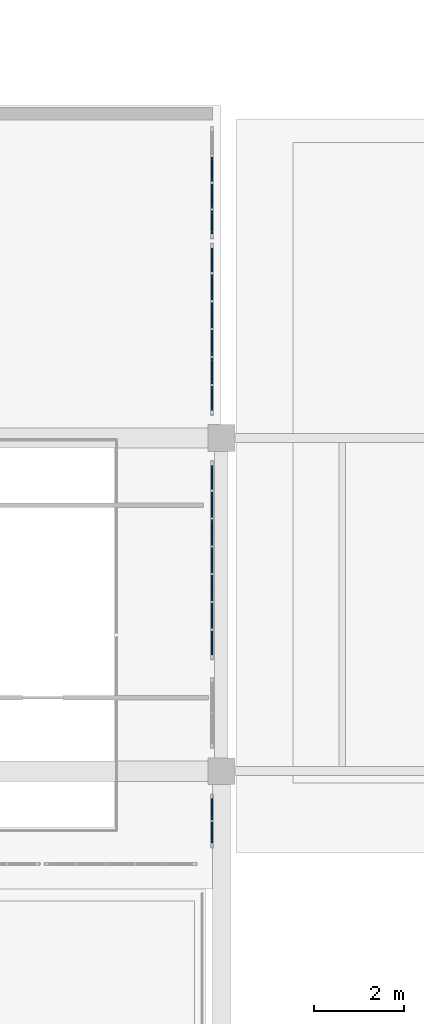
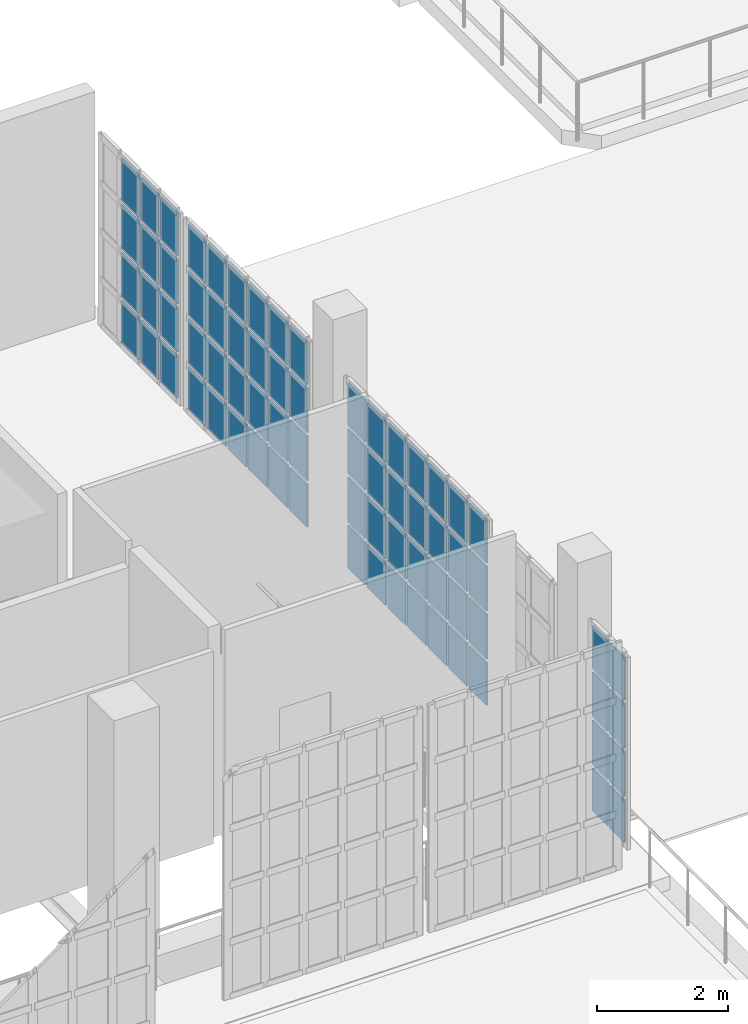
# One storey, part 43 of 56: 72 plates, 4 elements without a shape of their own.
"""IFC4 building model written with IfcOpenShell, lengths in metres."""

from ifc_helpers import new_model, si_unit, direction, frame, origin, origin_2d, place, context, subcontext, project, spatial, rectangle, extrude, material, layer, layer_set, type_object, element, aggregate, save


model = new_model("IFC4")

# Units and contexts
model_context = context("Model", 3, precision=1e-05, world=origin(), true_north=direction((0.0, 1.0)))
body_context = subcontext(model_context, "Body", "Model", "MODEL_VIEW")
ifc_project = project(units=[si_unit("LENGTHUNIT", "METRE"), si_unit("AREAUNIT", "SQUARE_METRE"), si_unit("VOLUMEUNIT", "CUBIC_METRE"), si_unit("PLANEANGLEUNIT", "RADIAN"), si_unit("MASSUNIT", "GRAM", prefix="KILO")], contexts=[model_context])

# Site, building, storey
site_placement = place(None, origin())
site = spatial("IfcSite", under=ifc_project, at=site_placement, CompositionType="ELEMENT")
building_placement = place(site_placement, origin())
building = spatial("IfcBuilding", under=site, at=building_placement, Name="Kaelora Sail Theatre", CompositionType="ELEMENT")
storey_placement = place(building_placement, frame((0.0, 0.0, 14.699951171875)))
storey = spatial("IfcBuildingStorey", under=building, at=storey_placement, Name="L03", CompositionType="ELEMENT", Elevation=14.699951171875)

# Curtain wall, plates
ifc_material_1 = material(Name="Anodised aluminium and solar-control low-E IGU", Category="aluminium")
curtain_wall_type = type_object("IfcCurtainWallType", Name="ARC-CW-CW-BRG", PredefinedType="NOTDEFINED", material=ifc_material_1)
curtain_wall_1_placement = place(storey_placement, origin())
curtain_wall_1 = element("IfcCurtainWall", 1, at=curtain_wall_1_placement, inside=storey, type_object=curtain_wall_type, Name="Glazed Colonnade/Courtyard Curtain Wall FC1-STEP-E-L03-01", PredefinedType="NOTDEFINED")
ifc_material_2 = material(Name="Solar-control laminated low-E glass", Category="glass")
ifc_layer = layer(ifc_material_2, 0.031982421875)
ifc_layer_set = layer_set([ifc_layer], Name="Solar-control laminated low-E glass")
plate_type = type_object("IfcPlateType", Name="ARC-CW-PNL", PredefinedType="CURTAIN_PANEL", material=ifc_layer_set)
plate_1_placement = place(storey_placement, frame((90.389892578125, 67.090087890625, 0.06982421875), z_axis=(0.0, 0.0, 1.0), x_axis=(0.0, 1.0, 0.0)))
plate_1 = element("IfcPlate", 2, at=plate_1_placement, type_object=plate_type, Name="CW-BRG panel 1.1", PredefinedType="CURTAIN_PANEL", context=body_context, shape_type="SweptSolid", body=[
    extrude(rectangle(XDim=0.4599609375, YDim=0.031982421875, at=origin_2d()), origin(), (0.0, 0.0, 1.0), 0.789306640625),
])
plate_2_placement = place(storey_placement, frame((90.389892578125, 67.090087890625, 0.92919921875), z_axis=(0.0, 0.0, 1.0), x_axis=(0.0, 1.0, 0.0)))
plate_2 = element("IfcPlate", 3, at=plate_2_placement, type_object=plate_type, Name="CW-BRG panel 1.2", PredefinedType="CURTAIN_PANEL", context=body_context, shape_type="SweptSolid", body=[
    extrude(rectangle(XDim=0.4599609375, YDim=0.031982421875, at=origin_2d()), origin(), (0.0, 0.0, 1.0), 0.82421875),
])
plate_3_placement = place(storey_placement, frame((90.389892578125, 67.090087890625, 1.823486328125), z_axis=(0.0, 0.0, 1.0), x_axis=(0.0, 1.0, 0.0)))
plate_3 = element("IfcPlate", 4, at=plate_3_placement, type_object=plate_type, Name="CW-BRG panel 1.3", PredefinedType="CURTAIN_PANEL", context=body_context, shape_type="SweptSolid", body=[
    extrude(rectangle(XDim=0.4599609375, YDim=0.031982421875, at=origin_2d()), origin(), (0.0, 0.0, 1.0), 0.82421875),
])
plate_4_placement = place(storey_placement, frame((90.389892578125, 67.090087890625, 2.7177734375), z_axis=(0.0, 0.0, 1.0), x_axis=(0.0, 1.0, 0.0)))
plate_4 = element("IfcPlate", 5, at=plate_4_placement, type_object=plate_type, Name="CW-BRG panel 1.4", PredefinedType="CURTAIN_PANEL", context=body_context, shape_type="SweptSolid", body=[
    extrude(rectangle(XDim=0.4599609375, YDim=0.031982421875, at=origin_2d()), origin(), (0.0, 0.0, 1.0), 0.789306640625),
])
plate_5_placement = place(storey_placement, frame((90.389892578125, 67.610107421875, 0.06982421875), z_axis=(0.0, 0.0, 1.0), x_axis=(0.0, 1.0, 0.0)))
plate_5 = element("IfcPlate", 6, at=plate_5_placement, type_object=plate_type, Name="CW-BRG panel 2.1", PredefinedType="CURTAIN_PANEL", context=body_context, shape_type="SweptSolid", body=[
    extrude(rectangle(XDim=0.4599609375, YDim=0.031982421875, at=origin_2d()), origin(), (0.0, 0.0, 1.0), 0.789306640625),
])
plate_6_placement = place(storey_placement, frame((90.389892578125, 67.610107421875, 0.92919921875), z_axis=(0.0, 0.0, 1.0), x_axis=(0.0, 1.0, 0.0)))
plate_6 = element("IfcPlate", 7, at=plate_6_placement, type_object=plate_type, Name="CW-BRG panel 2.2", PredefinedType="CURTAIN_PANEL", context=body_context, shape_type="SweptSolid", body=[
    extrude(rectangle(XDim=0.4599609375, YDim=0.031982421875, at=origin_2d()), origin(), (0.0, 0.0, 1.0), 0.82421875),
])
plate_7_placement = place(storey_placement, frame((90.389892578125, 67.610107421875, 1.823486328125), z_axis=(0.0, 0.0, 1.0), x_axis=(0.0, 1.0, 0.0)))
plate_7 = element("IfcPlate", 8, at=plate_7_placement, type_object=plate_type, Name="CW-BRG panel 2.3", PredefinedType="CURTAIN_PANEL", context=body_context, shape_type="SweptSolid", body=[
    extrude(rectangle(XDim=0.4599609375, YDim=0.031982421875, at=origin_2d()), origin(), (0.0, 0.0, 1.0), 0.82421875),
])
plate_8_placement = place(storey_placement, frame((90.389892578125, 67.610107421875, 2.7177734375), z_axis=(0.0, 0.0, 1.0), x_axis=(0.0, 1.0, 0.0)))
plate_8 = element("IfcPlate", 9, at=plate_8_placement, type_object=plate_type, Name="CW-BRG panel 2.4", PredefinedType="CURTAIN_PANEL", context=body_context, shape_type="SweptSolid", body=[
    extrude(rectangle(XDim=0.4599609375, YDim=0.031982421875, at=origin_2d()), origin(), (0.0, 0.0, 1.0), 0.789306640625),
])
aggregate(curtain_wall_1, [plate_1, plate_2, plate_3, plate_4, plate_5, plate_6, plate_7, plate_8])

curtain_wall_2_placement = place(storey_placement, origin())
curtain_wall_2 = element("IfcCurtainWall", 10, at=curtain_wall_2_placement, inside=storey, type_object=curtain_wall_type, Name="Glazed Colonnade/Courtyard Curtain Wall FC1-STEP-E-L03-02", PredefinedType="NOTDEFINED")
plate_9_placement = place(storey_placement, frame((90.389892578125, 71.324951171875, 0.06982421875), z_axis=(0.0, 0.0, 1.0), x_axis=(0.0, 1.0, 0.0)))
plate_9 = element("IfcPlate", 11, at=plate_9_placement, type_object=plate_type, Name="CW-BRG panel 1.1", PredefinedType="CURTAIN_PANEL", context=body_context, shape_type="SweptSolid", body=[
    extrude(rectangle(XDim=0.530029296875, YDim=0.031982421875, at=origin_2d()), origin(), (0.0, 0.0, 1.0), 0.789306640625),
])
plate_10_placement = place(storey_placement, frame((90.389892578125, 71.324951171875, 0.92919921875), z_axis=(0.0, 0.0, 1.0), x_axis=(0.0, 1.0, 0.0)))
plate_10 = element("IfcPlate", 12, at=plate_10_placement, type_object=plate_type, Name="CW-BRG panel 1.2", PredefinedType="CURTAIN_PANEL", context=body_context, shape_type="SweptSolid", body=[
    extrude(rectangle(XDim=0.530029296875, YDim=0.031982421875, at=origin_2d()), origin(), (0.0, 0.0, 1.0), 0.82421875),
])
plate_11_placement = place(storey_placement, frame((90.389892578125, 71.324951171875, 1.823486328125), z_axis=(0.0, 0.0, 1.0), x_axis=(0.0, 1.0, 0.0)))
plate_11 = element("IfcPlate", 13, at=plate_11_placement, type_object=plate_type, Name="CW-BRG panel 1.3", PredefinedType="CURTAIN_PANEL", context=body_context, shape_type="SweptSolid", body=[
    extrude(rectangle(XDim=0.530029296875, YDim=0.031982421875, at=origin_2d()), origin(), (0.0, 0.0, 1.0), 0.82421875),
])
plate_12_placement = place(storey_placement, frame((90.389892578125, 71.324951171875, 2.7177734375), z_axis=(0.0, 0.0, 1.0), x_axis=(0.0, 1.0, 0.0)))
plate_12 = element("IfcPlate", 14, at=plate_12_placement, type_object=plate_type, Name="CW-BRG panel 1.4", PredefinedType="CURTAIN_PANEL", context=body_context, shape_type="SweptSolid", body=[
    extrude(rectangle(XDim=0.530029296875, YDim=0.031982421875, at=origin_2d()), origin(), (0.0, 0.0, 1.0), 0.789306640625),
])
plate_13_placement = place(storey_placement, frame((90.389892578125, 71.929931640625, 0.06982421875), z_axis=(0.0, 0.0, 1.0), x_axis=(0.0, 1.0, 0.0)))
plate_13 = element("IfcPlate", 15, at=plate_13_placement, type_object=plate_type, Name="CW-BRG panel 2.1", PredefinedType="CURTAIN_PANEL", context=body_context, shape_type="SweptSolid", body=[
    extrude(rectangle(XDim=0.56005859375, YDim=0.031982421875, at=origin_2d()), origin(), (0.0, 0.0, 1.0), 0.789306640625),
])
plate_14_placement = place(storey_placement, frame((90.389892578125, 71.929931640625, 0.92919921875), z_axis=(0.0, 0.0, 1.0), x_axis=(0.0, 1.0, 0.0)))
plate_14 = element("IfcPlate", 16, at=plate_14_placement, type_object=plate_type, Name="CW-BRG panel 2.2", PredefinedType="CURTAIN_PANEL", context=body_context, shape_type="SweptSolid", body=[
    extrude(rectangle(XDim=0.56005859375, YDim=0.031982421875, at=origin_2d()), origin(), (0.0, 0.0, 1.0), 0.82421875),
])
plate_15_placement = place(storey_placement, frame((90.389892578125, 71.929931640625, 1.823486328125), z_axis=(0.0, 0.0, 1.0), x_axis=(0.0, 1.0, 0.0)))
plate_15 = element("IfcPlate", 17, at=plate_15_placement, type_object=plate_type, Name="CW-BRG panel 2.3", PredefinedType="CURTAIN_PANEL", context=body_context, shape_type="SweptSolid", body=[
    extrude(rectangle(XDim=0.56005859375, YDim=0.031982421875, at=origin_2d()), origin(), (0.0, 0.0, 1.0), 0.82421875),
])
plate_16_placement = place(storey_placement, frame((90.389892578125, 71.929931640625, 2.7177734375), z_axis=(0.0, 0.0, 1.0), x_axis=(0.0, 1.0, 0.0)))
plate_16 = element("IfcPlate", 18, at=plate_16_placement, type_object=plate_type, Name="CW-BRG panel 2.4", PredefinedType="CURTAIN_PANEL", context=body_context, shape_type="SweptSolid", body=[
    extrude(rectangle(XDim=0.56005859375, YDim=0.031982421875, at=origin_2d()), origin(), (0.0, 0.0, 1.0), 0.789306640625),
])
plate_17_placement = place(storey_placement, frame((90.389892578125, 72.550048828125, 0.06982421875), z_axis=(0.0, 0.0, 1.0), x_axis=(0.0, 1.0, 0.0)))
plate_17 = element("IfcPlate", 19, at=plate_17_placement, type_object=plate_type, Name="CW-BRG panel 3.1", PredefinedType="CURTAIN_PANEL", context=body_context, shape_type="SweptSolid", body=[
    extrude(rectangle(XDim=0.56005859375, YDim=0.031982421875, at=origin_2d()), origin(), (0.0, 0.0, 1.0), 0.789306640625),
])
plate_18_placement = place(storey_placement, frame((90.389892578125, 72.550048828125, 0.92919921875), z_axis=(0.0, 0.0, 1.0), x_axis=(0.0, 1.0, 0.0)))
plate_18 = element("IfcPlate", 20, at=plate_18_placement, type_object=plate_type, Name="CW-BRG panel 3.2", PredefinedType="CURTAIN_PANEL", context=body_context, shape_type="SweptSolid", body=[
    extrude(rectangle(XDim=0.56005859375, YDim=0.031982421875, at=origin_2d()), origin(), (0.0, 0.0, 1.0), 0.82421875),
])
plate_19_placement = place(storey_placement, frame((90.389892578125, 72.550048828125, 1.823486328125), z_axis=(0.0, 0.0, 1.0), x_axis=(0.0, 1.0, 0.0)))
plate_19 = element("IfcPlate", 21, at=plate_19_placement, type_object=plate_type, Name="CW-BRG panel 3.3", PredefinedType="CURTAIN_PANEL", context=body_context, shape_type="SweptSolid", body=[
    extrude(rectangle(XDim=0.56005859375, YDim=0.031982421875, at=origin_2d()), origin(), (0.0, 0.0, 1.0), 0.82421875),
])
plate_20_placement = place(storey_placement, frame((90.389892578125, 72.550048828125, 2.7177734375), z_axis=(0.0, 0.0, 1.0), x_axis=(0.0, 1.0, 0.0)))
plate_20 = element("IfcPlate", 22, at=plate_20_placement, type_object=plate_type, Name="CW-BRG panel 3.4", PredefinedType="CURTAIN_PANEL", context=body_context, shape_type="SweptSolid", body=[
    extrude(rectangle(XDim=0.56005859375, YDim=0.031982421875, at=origin_2d()), origin(), (0.0, 0.0, 1.0), 0.789306640625),
])
plate_21_placement = place(storey_placement, frame((90.389892578125, 73.169921875, 0.06982421875), z_axis=(0.0, 0.0, 1.0), x_axis=(0.0, 1.0, 0.0)))
plate_21 = element("IfcPlate", 23, at=plate_21_placement, type_object=plate_type, Name="CW-BRG panel 4.1", PredefinedType="CURTAIN_PANEL", context=body_context, shape_type="SweptSolid", body=[
    extrude(rectangle(XDim=0.56005859375, YDim=0.031982421875, at=origin_2d()), origin(), (0.0, 0.0, 1.0), 0.789306640625),
])
plate_22_placement = place(storey_placement, frame((90.389892578125, 73.169921875, 0.92919921875), z_axis=(0.0, 0.0, 1.0), x_axis=(0.0, 1.0, 0.0)))
plate_22 = element("IfcPlate", 24, at=plate_22_placement, type_object=plate_type, Name="CW-BRG panel 4.2", PredefinedType="CURTAIN_PANEL", context=body_context, shape_type="SweptSolid", body=[
    extrude(rectangle(XDim=0.56005859375, YDim=0.031982421875, at=origin_2d()), origin(), (0.0, 0.0, 1.0), 0.82421875),
])
plate_23_placement = place(storey_placement, frame((90.389892578125, 73.169921875, 1.823486328125), z_axis=(0.0, 0.0, 1.0), x_axis=(0.0, 1.0, 0.0)))
plate_23 = element("IfcPlate", 25, at=plate_23_placement, type_object=plate_type, Name="CW-BRG panel 4.3", PredefinedType="CURTAIN_PANEL", context=body_context, shape_type="SweptSolid", body=[
    extrude(rectangle(XDim=0.56005859375, YDim=0.031982421875, at=origin_2d()), origin(), (0.0, 0.0, 1.0), 0.82421875),
])
plate_24_placement = place(storey_placement, frame((90.389892578125, 73.169921875, 2.7177734375), z_axis=(0.0, 0.0, 1.0), x_axis=(0.0, 1.0, 0.0)))
plate_24 = element("IfcPlate", 26, at=plate_24_placement, type_object=plate_type, Name="CW-BRG panel 4.4", PredefinedType="CURTAIN_PANEL", context=body_context, shape_type="SweptSolid", body=[
    extrude(rectangle(XDim=0.56005859375, YDim=0.031982421875, at=origin_2d()), origin(), (0.0, 0.0, 1.0), 0.789306640625),
])
plate_25_placement = place(storey_placement, frame((90.389892578125, 73.7900390625, 0.06982421875), z_axis=(0.0, 0.0, 1.0), x_axis=(0.0, 1.0, 0.0)))
plate_25 = element("IfcPlate", 27, at=plate_25_placement, type_object=plate_type, Name="CW-BRG panel 5.1", PredefinedType="CURTAIN_PANEL", context=body_context, shape_type="SweptSolid", body=[
    extrude(rectangle(XDim=0.56005859375, YDim=0.031982421875, at=origin_2d()), origin(), (0.0, 0.0, 1.0), 0.789306640625),
])
plate_26_placement = place(storey_placement, frame((90.389892578125, 73.7900390625, 0.92919921875), z_axis=(0.0, 0.0, 1.0), x_axis=(0.0, 1.0, 0.0)))
plate_26 = element("IfcPlate", 28, at=plate_26_placement, type_object=plate_type, Name="CW-BRG panel 5.2", PredefinedType="CURTAIN_PANEL", context=body_context, shape_type="SweptSolid", body=[
    extrude(rectangle(XDim=0.56005859375, YDim=0.031982421875, at=origin_2d()), origin(), (0.0, 0.0, 1.0), 0.82421875),
])
plate_27_placement = place(storey_placement, frame((90.389892578125, 73.7900390625, 1.823486328125), z_axis=(0.0, 0.0, 1.0), x_axis=(0.0, 1.0, 0.0)))
plate_27 = element("IfcPlate", 29, at=plate_27_placement, type_object=plate_type, Name="CW-BRG panel 5.3", PredefinedType="CURTAIN_PANEL", context=body_context, shape_type="SweptSolid", body=[
    extrude(rectangle(XDim=0.56005859375, YDim=0.031982421875, at=origin_2d()), origin(), (0.0, 0.0, 1.0), 0.82421875),
])
plate_28_placement = place(storey_placement, frame((90.389892578125, 73.7900390625, 2.7177734375), z_axis=(0.0, 0.0, 1.0), x_axis=(0.0, 1.0, 0.0)))
plate_28 = element("IfcPlate", 30, at=plate_28_placement, type_object=plate_type, Name="CW-BRG panel 5.4", PredefinedType="CURTAIN_PANEL", context=body_context, shape_type="SweptSolid", body=[
    extrude(rectangle(XDim=0.56005859375, YDim=0.031982421875, at=origin_2d()), origin(), (0.0, 0.0, 1.0), 0.789306640625),
])
plate_29_placement = place(storey_placement, frame((90.389892578125, 74.409912109375, 0.06982421875), z_axis=(0.0, 0.0, 1.0), x_axis=(0.0, 1.0, 0.0)))
plate_29 = element("IfcPlate", 31, at=plate_29_placement, type_object=plate_type, Name="CW-BRG panel 6.1", PredefinedType="CURTAIN_PANEL", context=body_context, shape_type="SweptSolid", body=[
    extrude(rectangle(XDim=0.56005859375, YDim=0.031982421875, at=origin_2d()), origin(), (0.0, 0.0, 1.0), 0.789306640625),
])
plate_30_placement = place(storey_placement, frame((90.389892578125, 74.409912109375, 0.92919921875), z_axis=(0.0, 0.0, 1.0), x_axis=(0.0, 1.0, 0.0)))
plate_30 = element("IfcPlate", 32, at=plate_30_placement, type_object=plate_type, Name="CW-BRG panel 6.2", PredefinedType="CURTAIN_PANEL", context=body_context, shape_type="SweptSolid", body=[
    extrude(rectangle(XDim=0.56005859375, YDim=0.031982421875, at=origin_2d()), origin(), (0.0, 0.0, 1.0), 0.82421875),
])
plate_31_placement = place(storey_placement, frame((90.389892578125, 74.409912109375, 1.823486328125), z_axis=(0.0, 0.0, 1.0), x_axis=(0.0, 1.0, 0.0)))
plate_31 = element("IfcPlate", 33, at=plate_31_placement, type_object=plate_type, Name="CW-BRG panel 6.3", PredefinedType="CURTAIN_PANEL", context=body_context, shape_type="SweptSolid", body=[
    extrude(rectangle(XDim=0.56005859375, YDim=0.031982421875, at=origin_2d()), origin(), (0.0, 0.0, 1.0), 0.82421875),
])
plate_32_placement = place(storey_placement, frame((90.389892578125, 74.409912109375, 2.7177734375), z_axis=(0.0, 0.0, 1.0), x_axis=(0.0, 1.0, 0.0)))
plate_32 = element("IfcPlate", 34, at=plate_32_placement, type_object=plate_type, Name="CW-BRG panel 6.4", PredefinedType="CURTAIN_PANEL", context=body_context, shape_type="SweptSolid", body=[
    extrude(rectangle(XDim=0.56005859375, YDim=0.031982421875, at=origin_2d()), origin(), (0.0, 0.0, 1.0), 0.789306640625),
])
plate_33_placement = place(storey_placement, frame((90.389892578125, 75.014892578125, 0.06982421875), z_axis=(0.0, 0.0, 1.0), x_axis=(0.0, 1.0, 0.0)))
plate_33 = element("IfcPlate", 35, at=plate_33_placement, type_object=plate_type, Name="CW-BRG panel 7.1", PredefinedType="CURTAIN_PANEL", context=body_context, shape_type="SweptSolid", body=[
    extrude(rectangle(XDim=0.530029296875, YDim=0.031982421875, at=origin_2d()), origin(), (0.0, 0.0, 1.0), 0.789306640625),
])
plate_34_placement = place(storey_placement, frame((90.389892578125, 75.014892578125, 0.92919921875), z_axis=(0.0, 0.0, 1.0), x_axis=(0.0, 1.0, 0.0)))
plate_34 = element("IfcPlate", 36, at=plate_34_placement, type_object=plate_type, Name="CW-BRG panel 7.2", PredefinedType="CURTAIN_PANEL", context=body_context, shape_type="SweptSolid", body=[
    extrude(rectangle(XDim=0.530029296875, YDim=0.031982421875, at=origin_2d()), origin(), (0.0, 0.0, 1.0), 0.82421875),
])
plate_35_placement = place(storey_placement, frame((90.389892578125, 75.014892578125, 1.823486328125), z_axis=(0.0, 0.0, 1.0), x_axis=(0.0, 1.0, 0.0)))
plate_35 = element("IfcPlate", 37, at=plate_35_placement, type_object=plate_type, Name="CW-BRG panel 7.3", PredefinedType="CURTAIN_PANEL", context=body_context, shape_type="SweptSolid", body=[
    extrude(rectangle(XDim=0.530029296875, YDim=0.031982421875, at=origin_2d()), origin(), (0.0, 0.0, 1.0), 0.82421875),
])
plate_36_placement = place(storey_placement, frame((90.389892578125, 75.014892578125, 2.7177734375), z_axis=(0.0, 0.0, 1.0), x_axis=(0.0, 1.0, 0.0)))
plate_36 = element("IfcPlate", 38, at=plate_36_placement, type_object=plate_type, Name="CW-BRG panel 7.4", PredefinedType="CURTAIN_PANEL", context=body_context, shape_type="SweptSolid", body=[
    extrude(rectangle(XDim=0.530029296875, YDim=0.031982421875, at=origin_2d()), origin(), (0.0, 0.0, 1.0), 0.789306640625),
])
aggregate(curtain_wall_2, [plate_9, plate_10, plate_11, plate_12, plate_13, plate_14, plate_15, plate_16, plate_17, plate_18, plate_19, plate_20, plate_21, plate_22, plate_23, plate_24, plate_25, plate_26, plate_27, plate_28, plate_29, plate_30, plate_31, plate_32, plate_33, plate_34, plate_35, plate_36])

curtain_wall_3_placement = place(storey_placement, origin())
curtain_wall_3 = element("IfcCurtainWall", 39, at=curtain_wall_3_placement, inside=storey, type_object=curtain_wall_type, Name="Glazed Colonnade/Courtyard Curtain Wall FC1-STEP-E-L03-03", PredefinedType="NOTDEFINED")
plate_37_placement = place(storey_placement, frame((90.389892578125, 76.78662109375, 0.06982421875), z_axis=(0.0, 0.0, 1.0), x_axis=(0.0, 1.0, 0.0)))
plate_37 = element("IfcPlate", 40, at=plate_37_placement, type_object=plate_type, Name="CW-BRG panel 1.1", PredefinedType="CURTAIN_PANEL", context=body_context, shape_type="SweptSolid", body=[
    extrude(rectangle(XDim=0.533447265625, YDim=0.031982421875, at=origin_2d()), origin(), (0.0, 0.0, 1.0), 0.789306640625),
])
plate_38_placement = place(storey_placement, frame((90.389892578125, 76.78662109375, 0.92919921875), z_axis=(0.0, 0.0, 1.0), x_axis=(0.0, 1.0, 0.0)))
plate_38 = element("IfcPlate", 41, at=plate_38_placement, type_object=plate_type, Name="CW-BRG panel 1.2", PredefinedType="CURTAIN_PANEL", context=body_context, shape_type="SweptSolid", body=[
    extrude(rectangle(XDim=0.533447265625, YDim=0.031982421875, at=origin_2d()), origin(), (0.0, 0.0, 1.0), 0.82421875),
])
plate_39_placement = place(storey_placement, frame((90.389892578125, 76.78662109375, 1.823486328125), z_axis=(0.0, 0.0, 1.0), x_axis=(0.0, 1.0, 0.0)))
plate_39 = element("IfcPlate", 42, at=plate_39_placement, type_object=plate_type, Name="CW-BRG panel 1.3", PredefinedType="CURTAIN_PANEL", context=body_context, shape_type="SweptSolid", body=[
    extrude(rectangle(XDim=0.533447265625, YDim=0.031982421875, at=origin_2d()), origin(), (0.0, 0.0, 1.0), 0.82421875),
])
plate_40_placement = place(storey_placement, frame((90.389892578125, 76.78662109375, 2.7177734375), z_axis=(0.0, 0.0, 1.0), x_axis=(0.0, 1.0, 0.0)))
plate_40 = element("IfcPlate", 43, at=plate_40_placement, type_object=plate_type, Name="CW-BRG panel 1.4", PredefinedType="CURTAIN_PANEL", context=body_context, shape_type="SweptSolid", body=[
    extrude(rectangle(XDim=0.533447265625, YDim=0.031982421875, at=origin_2d()), origin(), (0.0, 0.0, 1.0), 0.789306640625),
])
plate_41_placement = place(storey_placement, frame((90.389892578125, 77.39501953125, 0.06982421875), z_axis=(0.0, 0.0, 1.0), x_axis=(0.0, 1.0, 0.0)))
plate_41 = element("IfcPlate", 44, at=plate_41_placement, type_object=plate_type, Name="CW-BRG panel 2.1", PredefinedType="CURTAIN_PANEL", context=body_context, shape_type="SweptSolid", body=[
    extrude(rectangle(XDim=0.563232421875, YDim=0.031982421875, at=origin_2d()), origin(), (0.0, 0.0, 1.0), 0.789306640625),
])
plate_42_placement = place(storey_placement, frame((90.389892578125, 77.39501953125, 0.92919921875), z_axis=(0.0, 0.0, 1.0), x_axis=(0.0, 1.0, 0.0)))
plate_42 = element("IfcPlate", 45, at=plate_42_placement, type_object=plate_type, Name="CW-BRG panel 2.2", PredefinedType="CURTAIN_PANEL", context=body_context, shape_type="SweptSolid", body=[
    extrude(rectangle(XDim=0.563232421875, YDim=0.031982421875, at=origin_2d()), origin(), (0.0, 0.0, 1.0), 0.82421875),
])
plate_43_placement = place(storey_placement, frame((90.389892578125, 77.39501953125, 1.823486328125), z_axis=(0.0, 0.0, 1.0), x_axis=(0.0, 1.0, 0.0)))
plate_43 = element("IfcPlate", 46, at=plate_43_placement, type_object=plate_type, Name="CW-BRG panel 2.3", PredefinedType="CURTAIN_PANEL", context=body_context, shape_type="SweptSolid", body=[
    extrude(rectangle(XDim=0.563232421875, YDim=0.031982421875, at=origin_2d()), origin(), (0.0, 0.0, 1.0), 0.82421875),
])
plate_44_placement = place(storey_placement, frame((90.389892578125, 77.39501953125, 2.7177734375), z_axis=(0.0, 0.0, 1.0), x_axis=(0.0, 1.0, 0.0)))
plate_44 = element("IfcPlate", 47, at=plate_44_placement, type_object=plate_type, Name="CW-BRG panel 2.4", PredefinedType="CURTAIN_PANEL", context=body_context, shape_type="SweptSolid", body=[
    extrude(rectangle(XDim=0.563232421875, YDim=0.031982421875, at=origin_2d()), origin(), (0.0, 0.0, 1.0), 0.789306640625),
])
plate_45_placement = place(storey_placement, frame((90.389892578125, 78.018310546875, 0.06982421875), z_axis=(0.0, 0.0, 1.0), x_axis=(0.0, 1.0, 0.0)))
plate_45 = element("IfcPlate", 48, at=plate_45_placement, type_object=plate_type, Name="CW-BRG panel 3.1", PredefinedType="CURTAIN_PANEL", context=body_context, shape_type="SweptSolid", body=[
    extrude(rectangle(XDim=0.563232421875, YDim=0.031982421875, at=origin_2d()), origin(), (0.0, 0.0, 1.0), 0.789306640625),
])
plate_46_placement = place(storey_placement, frame((90.389892578125, 78.018310546875, 0.92919921875), z_axis=(0.0, 0.0, 1.0), x_axis=(0.0, 1.0, 0.0)))
plate_46 = element("IfcPlate", 49, at=plate_46_placement, type_object=plate_type, Name="CW-BRG panel 3.2", PredefinedType="CURTAIN_PANEL", context=body_context, shape_type="SweptSolid", body=[
    extrude(rectangle(XDim=0.563232421875, YDim=0.031982421875, at=origin_2d()), origin(), (0.0, 0.0, 1.0), 0.82421875),
])
plate_47_placement = place(storey_placement, frame((90.389892578125, 78.018310546875, 1.823486328125), z_axis=(0.0, 0.0, 1.0), x_axis=(0.0, 1.0, 0.0)))
plate_47 = element("IfcPlate", 50, at=plate_47_placement, type_object=plate_type, Name="CW-BRG panel 3.3", PredefinedType="CURTAIN_PANEL", context=body_context, shape_type="SweptSolid", body=[
    extrude(rectangle(XDim=0.563232421875, YDim=0.031982421875, at=origin_2d()), origin(), (0.0, 0.0, 1.0), 0.82421875),
])
plate_48_placement = place(storey_placement, frame((90.389892578125, 78.018310546875, 2.7177734375), z_axis=(0.0, 0.0, 1.0), x_axis=(0.0, 1.0, 0.0)))
plate_48 = element("IfcPlate", 51, at=plate_48_placement, type_object=plate_type, Name="CW-BRG panel 3.4", PredefinedType="CURTAIN_PANEL", context=body_context, shape_type="SweptSolid", body=[
    extrude(rectangle(XDim=0.563232421875, YDim=0.031982421875, at=origin_2d()), origin(), (0.0, 0.0, 1.0), 0.789306640625),
])
plate_49_placement = place(storey_placement, frame((90.389892578125, 78.6416015625, 0.06982421875), z_axis=(0.0, 0.0, 1.0), x_axis=(0.0, 1.0, 0.0)))
plate_49 = element("IfcPlate", 52, at=plate_49_placement, type_object=plate_type, Name="CW-BRG panel 4.1", PredefinedType="CURTAIN_PANEL", context=body_context, shape_type="SweptSolid", body=[
    extrude(rectangle(XDim=0.563232421875, YDim=0.031982421875, at=origin_2d()), origin(), (0.0, 0.0, 1.0), 0.789306640625),
])
plate_50_placement = place(storey_placement, frame((90.389892578125, 78.6416015625, 0.92919921875), z_axis=(0.0, 0.0, 1.0), x_axis=(0.0, 1.0, 0.0)))
plate_50 = element("IfcPlate", 53, at=plate_50_placement, type_object=plate_type, Name="CW-BRG panel 4.2", PredefinedType="CURTAIN_PANEL", context=body_context, shape_type="SweptSolid", body=[
    extrude(rectangle(XDim=0.563232421875, YDim=0.031982421875, at=origin_2d()), origin(), (0.0, 0.0, 1.0), 0.82421875),
])
plate_51_placement = place(storey_placement, frame((90.389892578125, 78.6416015625, 1.823486328125), z_axis=(0.0, 0.0, 1.0), x_axis=(0.0, 1.0, 0.0)))
plate_51 = element("IfcPlate", 54, at=plate_51_placement, type_object=plate_type, Name="CW-BRG panel 4.3", PredefinedType="CURTAIN_PANEL", context=body_context, shape_type="SweptSolid", body=[
    extrude(rectangle(XDim=0.563232421875, YDim=0.031982421875, at=origin_2d()), origin(), (0.0, 0.0, 1.0), 0.82421875),
])
plate_52_placement = place(storey_placement, frame((90.389892578125, 78.6416015625, 2.7177734375), z_axis=(0.0, 0.0, 1.0), x_axis=(0.0, 1.0, 0.0)))
plate_52 = element("IfcPlate", 55, at=plate_52_placement, type_object=plate_type, Name="CW-BRG panel 4.4", PredefinedType="CURTAIN_PANEL", context=body_context, shape_type="SweptSolid", body=[
    extrude(rectangle(XDim=0.563232421875, YDim=0.031982421875, at=origin_2d()), origin(), (0.0, 0.0, 1.0), 0.789306640625),
])
plate_53_placement = place(storey_placement, frame((90.389892578125, 79.264892578125, 0.06982421875), z_axis=(0.0, 0.0, 1.0), x_axis=(0.0, 1.0, 0.0)))
plate_53 = element("IfcPlate", 56, at=plate_53_placement, type_object=plate_type, Name="CW-BRG panel 5.1", PredefinedType="CURTAIN_PANEL", context=body_context, shape_type="SweptSolid", body=[
    extrude(rectangle(XDim=0.563232421875, YDim=0.031982421875, at=origin_2d()), origin(), (0.0, 0.0, 1.0), 0.789306640625),
])
plate_54_placement = place(storey_placement, frame((90.389892578125, 79.264892578125, 0.92919921875), z_axis=(0.0, 0.0, 1.0), x_axis=(0.0, 1.0, 0.0)))
plate_54 = element("IfcPlate", 57, at=plate_54_placement, type_object=plate_type, Name="CW-BRG panel 5.2", PredefinedType="CURTAIN_PANEL", context=body_context, shape_type="SweptSolid", body=[
    extrude(rectangle(XDim=0.563232421875, YDim=0.031982421875, at=origin_2d()), origin(), (0.0, 0.0, 1.0), 0.82421875),
])
plate_55_placement = place(storey_placement, frame((90.389892578125, 79.264892578125, 1.823486328125), z_axis=(0.0, 0.0, 1.0), x_axis=(0.0, 1.0, 0.0)))
plate_55 = element("IfcPlate", 58, at=plate_55_placement, type_object=plate_type, Name="CW-BRG panel 5.3", PredefinedType="CURTAIN_PANEL", context=body_context, shape_type="SweptSolid", body=[
    extrude(rectangle(XDim=0.563232421875, YDim=0.031982421875, at=origin_2d()), origin(), (0.0, 0.0, 1.0), 0.82421875),
])
plate_56_placement = place(storey_placement, frame((90.389892578125, 79.264892578125, 2.7177734375), z_axis=(0.0, 0.0, 1.0), x_axis=(0.0, 1.0, 0.0)))
plate_56 = element("IfcPlate", 59, at=plate_56_placement, type_object=plate_type, Name="CW-BRG panel 5.4", PredefinedType="CURTAIN_PANEL", context=body_context, shape_type="SweptSolid", body=[
    extrude(rectangle(XDim=0.563232421875, YDim=0.031982421875, at=origin_2d()), origin(), (0.0, 0.0, 1.0), 0.789306640625),
])
plate_57_placement = place(storey_placement, frame((90.389892578125, 79.873291015625, 0.06982421875), z_axis=(0.0, 0.0, 1.0), x_axis=(0.0, 1.0, 0.0)))
plate_57 = element("IfcPlate", 60, at=plate_57_placement, type_object=plate_type, Name="CW-BRG panel 6.1", PredefinedType="CURTAIN_PANEL", context=body_context, shape_type="SweptSolid", body=[
    extrude(rectangle(XDim=0.533447265625, YDim=0.031982421875, at=origin_2d()), origin(), (0.0, 0.0, 1.0), 0.789306640625),
])
plate_58_placement = place(storey_placement, frame((90.389892578125, 79.873291015625, 0.92919921875), z_axis=(0.0, 0.0, 1.0), x_axis=(0.0, 1.0, 0.0)))
plate_58 = element("IfcPlate", 61, at=plate_58_placement, type_object=plate_type, Name="CW-BRG panel 6.2", PredefinedType="CURTAIN_PANEL", context=body_context, shape_type="SweptSolid", body=[
    extrude(rectangle(XDim=0.533447265625, YDim=0.031982421875, at=origin_2d()), origin(), (0.0, 0.0, 1.0), 0.82421875),
])
plate_59_placement = place(storey_placement, frame((90.389892578125, 79.873291015625, 1.823486328125), z_axis=(0.0, 0.0, 1.0), x_axis=(0.0, 1.0, 0.0)))
plate_59 = element("IfcPlate", 62, at=plate_59_placement, type_object=plate_type, Name="CW-BRG panel 6.3", PredefinedType="CURTAIN_PANEL", context=body_context, shape_type="SweptSolid", body=[
    extrude(rectangle(XDim=0.533447265625, YDim=0.031982421875, at=origin_2d()), origin(), (0.0, 0.0, 1.0), 0.82421875),
])
plate_60_placement = place(storey_placement, frame((90.389892578125, 79.873291015625, 2.7177734375), z_axis=(0.0, 0.0, 1.0), x_axis=(0.0, 1.0, 0.0)))
plate_60 = element("IfcPlate", 63, at=plate_60_placement, type_object=plate_type, Name="CW-BRG panel 6.4", PredefinedType="CURTAIN_PANEL", context=body_context, shape_type="SweptSolid", body=[
    extrude(rectangle(XDim=0.533447265625, YDim=0.031982421875, at=origin_2d()), origin(), (0.0, 0.0, 1.0), 0.789306640625),
])
aggregate(curtain_wall_3, [plate_37, plate_38, plate_39, plate_40, plate_41, plate_42, plate_43, plate_44, plate_45, plate_46, plate_47, plate_48, plate_49, plate_50, plate_51, plate_52, plate_53, plate_54, plate_55, plate_56, plate_57, plate_58, plate_59, plate_60])

curtain_wall_4_placement = place(storey_placement, origin())
curtain_wall_4 = element("IfcCurtainWall", 64, at=curtain_wall_4_placement, inside=storey, type_object=curtain_wall_type, Name="Glazed Colonnade/Courtyard Curtain Wall FC1-STEP-E-L03-04", PredefinedType="NOTDEFINED")
plate_61_placement = place(storey_placement, frame((90.389892578125, 80.715087890625, 0.06982421875), z_axis=(0.0, 0.0, 1.0), x_axis=(0.0, 1.0, 0.0)))
plate_61 = element("IfcPlate", 65, at=plate_61_placement, type_object=plate_type, Name="CW-BRG panel 1.1", PredefinedType="CURTAIN_PANEL", context=body_context, shape_type="SweptSolid", body=[
    extrude(rectangle(XDim=0.510009765625, YDim=0.031982421875, at=origin_2d()), origin(), (0.0, 0.0, 1.0), 0.789306640625),
])
plate_62_placement = place(storey_placement, frame((90.389892578125, 80.715087890625, 0.92919921875), z_axis=(0.0, 0.0, 1.0), x_axis=(0.0, 1.0, 0.0)))
plate_62 = element("IfcPlate", 66, at=plate_62_placement, type_object=plate_type, Name="CW-BRG panel 1.2", PredefinedType="CURTAIN_PANEL", context=body_context, shape_type="SweptSolid", body=[
    extrude(rectangle(XDim=0.510009765625, YDim=0.031982421875, at=origin_2d()), origin(), (0.0, 0.0, 1.0), 0.82421875),
])
plate_63_placement = place(storey_placement, frame((90.389892578125, 80.715087890625, 1.823486328125), z_axis=(0.0, 0.0, 1.0), x_axis=(0.0, 1.0, 0.0)))
plate_63 = element("IfcPlate", 67, at=plate_63_placement, type_object=plate_type, Name="CW-BRG panel 1.3", PredefinedType="CURTAIN_PANEL", context=body_context, shape_type="SweptSolid", body=[
    extrude(rectangle(XDim=0.510009765625, YDim=0.031982421875, at=origin_2d()), origin(), (0.0, 0.0, 1.0), 0.82421875),
])
plate_64_placement = place(storey_placement, frame((90.389892578125, 80.715087890625, 2.7177734375), z_axis=(0.0, 0.0, 1.0), x_axis=(0.0, 1.0, 0.0)))
plate_64 = element("IfcPlate", 68, at=plate_64_placement, type_object=plate_type, Name="CW-BRG panel 1.4", PredefinedType="CURTAIN_PANEL", context=body_context, shape_type="SweptSolid", body=[
    extrude(rectangle(XDim=0.510009765625, YDim=0.031982421875, at=origin_2d()), origin(), (0.0, 0.0, 1.0), 0.789306640625),
])
plate_65_placement = place(storey_placement, frame((90.389892578125, 81.300048828125, 0.06982421875), z_axis=(0.0, 0.0, 1.0), x_axis=(0.0, 1.0, 0.0)))
plate_65 = element("IfcPlate", 69, at=plate_65_placement, type_object=plate_type, Name="CW-BRG panel 2.1", PredefinedType="CURTAIN_PANEL", context=body_context, shape_type="SweptSolid", body=[
    extrude(rectangle(XDim=0.5400390625, YDim=0.031982421875, at=origin_2d()), origin(), (0.0, 0.0, 1.0), 0.789306640625),
])
plate_66_placement = place(storey_placement, frame((90.389892578125, 81.300048828125, 0.92919921875), z_axis=(0.0, 0.0, 1.0), x_axis=(0.0, 1.0, 0.0)))
plate_66 = element("IfcPlate", 70, at=plate_66_placement, type_object=plate_type, Name="CW-BRG panel 2.2", PredefinedType="CURTAIN_PANEL", context=body_context, shape_type="SweptSolid", body=[
    extrude(rectangle(XDim=0.5400390625, YDim=0.031982421875, at=origin_2d()), origin(), (0.0, 0.0, 1.0), 0.82421875),
])
plate_67_placement = place(storey_placement, frame((90.389892578125, 81.300048828125, 1.823486328125), z_axis=(0.0, 0.0, 1.0), x_axis=(0.0, 1.0, 0.0)))
plate_67 = element("IfcPlate", 71, at=plate_67_placement, type_object=plate_type, Name="CW-BRG panel 2.3", PredefinedType="CURTAIN_PANEL", context=body_context, shape_type="SweptSolid", body=[
    extrude(rectangle(XDim=0.5400390625, YDim=0.031982421875, at=origin_2d()), origin(), (0.0, 0.0, 1.0), 0.82421875),
])
plate_68_placement = place(storey_placement, frame((90.389892578125, 81.300048828125, 2.7177734375), z_axis=(0.0, 0.0, 1.0), x_axis=(0.0, 1.0, 0.0)))
plate_68 = element("IfcPlate", 72, at=plate_68_placement, type_object=plate_type, Name="CW-BRG panel 2.4", PredefinedType="CURTAIN_PANEL", context=body_context, shape_type="SweptSolid", body=[
    extrude(rectangle(XDim=0.5400390625, YDim=0.031982421875, at=origin_2d()), origin(), (0.0, 0.0, 1.0), 0.789306640625),
])
plate_69_placement = place(storey_placement, frame((90.389892578125, 81.89990234375, 0.06982421875), z_axis=(0.0, 0.0, 1.0), x_axis=(0.0, 1.0, 0.0)))
plate_69 = element("IfcPlate", 73, at=plate_69_placement, type_object=plate_type, Name="CW-BRG panel 3.1", PredefinedType="CURTAIN_PANEL", context=body_context, shape_type="SweptSolid", body=[
    extrude(rectangle(XDim=0.5400390625, YDim=0.031982421875, at=origin_2d()), origin(), (0.0, 0.0, 1.0), 0.789306640625),
])
plate_70_placement = place(storey_placement, frame((90.389892578125, 81.89990234375, 0.92919921875), z_axis=(0.0, 0.0, 1.0), x_axis=(0.0, 1.0, 0.0)))
plate_70 = element("IfcPlate", 74, at=plate_70_placement, type_object=plate_type, Name="CW-BRG panel 3.2", PredefinedType="CURTAIN_PANEL", context=body_context, shape_type="SweptSolid", body=[
    extrude(rectangle(XDim=0.5400390625, YDim=0.031982421875, at=origin_2d()), origin(), (0.0, 0.0, 1.0), 0.82421875),
])
plate_71_placement = place(storey_placement, frame((90.389892578125, 81.89990234375, 1.823486328125), z_axis=(0.0, 0.0, 1.0), x_axis=(0.0, 1.0, 0.0)))
plate_71 = element("IfcPlate", 75, at=plate_71_placement, type_object=plate_type, Name="CW-BRG panel 3.3", PredefinedType="CURTAIN_PANEL", context=body_context, shape_type="SweptSolid", body=[
    extrude(rectangle(XDim=0.5400390625, YDim=0.031982421875, at=origin_2d()), origin(), (0.0, 0.0, 1.0), 0.82421875),
])
plate_72_placement = place(storey_placement, frame((90.389892578125, 81.89990234375, 2.7177734375), z_axis=(0.0, 0.0, 1.0), x_axis=(0.0, 1.0, 0.0)))
plate_72 = element("IfcPlate", 76, at=plate_72_placement, type_object=plate_type, Name="CW-BRG panel 3.4", PredefinedType="CURTAIN_PANEL", context=body_context, shape_type="SweptSolid", body=[
    extrude(rectangle(XDim=0.5400390625, YDim=0.031982421875, at=origin_2d()), origin(), (0.0, 0.0, 1.0), 0.789306640625),
])
aggregate(curtain_wall_4, [plate_61, plate_62, plate_63, plate_64, plate_65, plate_66, plate_67, plate_68, plate_69, plate_70, plate_71, plate_72])

save(model, "model.ifc")
